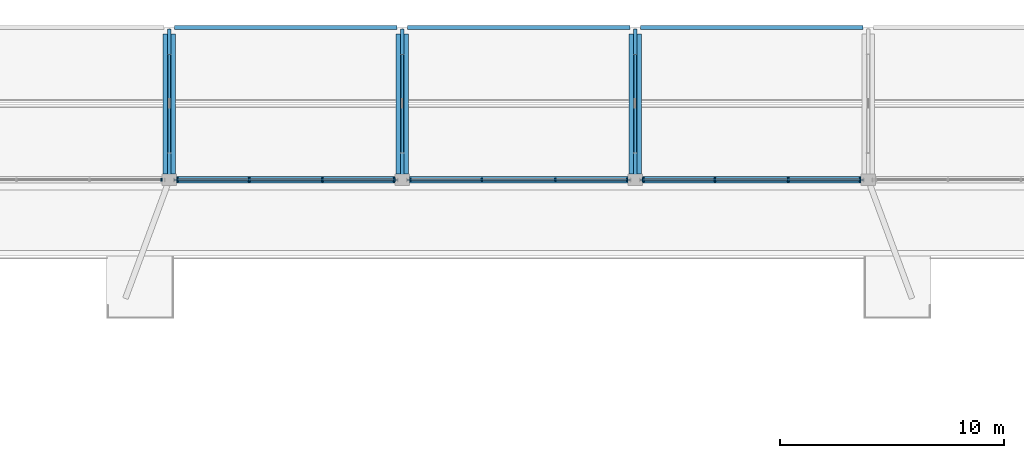
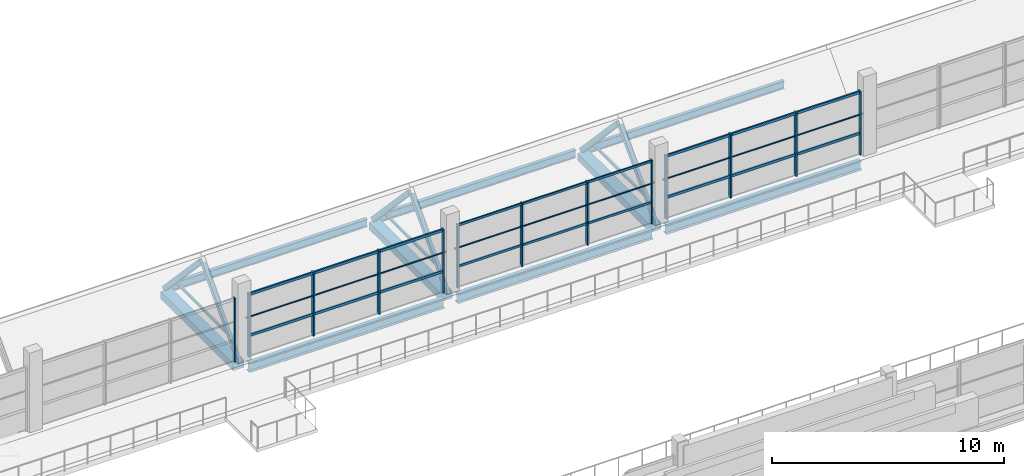
# One storey, part 19 of 85: 31 members, 9 beams, 4 elements without a shape of their own.
"""IFC4 building model written with IfcOpenShell, lengths in metres."""

import ifcopenshell
import ifcopenshell.guid

model = None  # the IFC model being written
_history = None  # IfcOwnerHistory: only IFC2X3 demands one
_inside = {}  # id of a spatial element -> (the spatial element, [elements in it])
_under = {}  # id of a project, library or spatial element -> (it, [spatial elements below it])
_declared = {}  # id of a project -> (the project, [libraries it declares])
_typed = {}  # id of a type object -> (the type object, [elements of that type])
_made_of = {}  # id of a material, layer set ... -> (it, [elements and type objects made of it])


def new_model(schema):
    """Start an empty IFC model of exactly this schema.

    Asked for "IFC4X3", IfcOpenShell would pick the latest addendum, in which some entities
    have other attributes; the version numbers below select the first issue.
    IFC2X3 requires an IfcOwnerHistory on every rooted entity: one is made here for all.
    """
    global model, _history
    if schema == "IFC4X3":
        model = ifcopenshell.file(schema_version=(4, 3, 0, 0))
    else:
        model = ifcopenshell.file(schema=schema)
    _inside.clear()
    _under.clear()
    _declared.clear()
    _typed.clear()
    _made_of.clear()
    _history = None
    if model.schema == "IFC2X3":
        org = make("IfcOrganization", Name="unknown")
        user = make(
            "IfcPersonAndOrganization",
            ThePerson=make("IfcPerson", FamilyName="unknown"),
            TheOrganization=org,
        )
        app = make(
            "IfcApplication",
            ApplicationDeveloper=org,
            Version="unknown",
            ApplicationFullName="unknown",
            ApplicationIdentifier="unknown",
        )
        _history = make(
            "IfcOwnerHistory",
            OwningUser=user,
            OwningApplication=app,
            ChangeAction="ADDED",
            CreationDate=0,
        )
    return model


def make(cls, **values):
    """One entity of the class cls with the attributes given. An attribute that is None is left unset."""
    return model.create_entity(
        cls, **{name: value for name, value in values.items() if value is not None}
    )


def rooted(cls, **values):
    """An entity with a GlobalId (a new one), such as an element, a storey or a relation."""
    return make(cls, GlobalId=ifcopenshell.guid.new(), OwnerHistory=_history, **values)


def si_unit(unit_type, name, prefix=None):
    """IfcSIUnit, for example si_unit("LENGTHUNIT", "METRE", prefix="MILLI")."""
    return make("IfcSIUnit", UnitType=unit_type, Prefix=prefix, Name=name)


def derived_unit(unit_type, elements):
    """IfcDerivedUnit: a product of units, each with its exponent."""
    return make(
        "IfcDerivedUnit",
        Elements=[
            make("IfcDerivedUnitElement", Unit=unit, Exponent=power)
            for unit, power in elements
        ],
        UnitType=unit_type,
    )


def assignment(units):
    """IfcUnitAssignment: the units of a project."""
    return None if units is None else make("IfcUnitAssignment", Units=units)


def point(xyz):
    """IfcCartesianPoint."""
    return None if xyz is None else make("IfcCartesianPoint", Coordinates=xyz)


def direction(xyz):
    """IfcDirection."""
    return None if xyz is None else make("IfcDirection", DirectionRatios=xyz)


def frame(location, z_axis=None, x_axis=None):
    """IfcAxis2Placement3D, a coordinate frame: its origin and axes. An axis left out is left unset."""
    return make(
        "IfcAxis2Placement3D",
        Location=point(location),
        Axis=direction(z_axis),
        RefDirection=direction(x_axis),
    )


def frame_2d(location, x_axis=None):
    """IfcAxis2Placement2D, a coordinate frame in the plane: its origin and x axis."""
    return make(
        "IfcAxis2Placement2D", Location=point(location), RefDirection=direction(x_axis)
    )


def origin():
    """The frame at (0, 0, 0) with its axes left unset."""
    return frame((0.0, 0.0, 0.0))


def origin_2d():
    """The frame at (0, 0) in the plane with its x axis left unset."""
    return frame_2d((0.0, 0.0))


def place(relative_to, where):
    """IfcLocalPlacement: puts the frame where relative to a parent placement (None: the world)."""
    return make(
        "IfcLocalPlacement", PlacementRelTo=relative_to, RelativePlacement=where
    )


def context(
    kind, dimensions, precision=None, world=None, true_north=None, identifier=None
):
    """IfcGeometricRepresentationContext, for example the 3D "Model" context."""
    return make(
        "IfcGeometricRepresentationContext",
        ContextIdentifier=identifier,
        ContextType=kind,
        CoordinateSpaceDimension=dimensions,
        Precision=precision,
        WorldCoordinateSystem=world,
        TrueNorth=true_north,
    )


def subcontext(parent, identifier, kind, view, scale=None):
    """IfcGeometricRepresentationSubContext, for example "Body" below "Model"."""
    return make(
        "IfcGeometricRepresentationSubContext",
        ContextIdentifier=identifier,
        ContextType=kind,
        ParentContext=parent,
        TargetScale=scale,
        TargetView=view,
    )


def project(units=None, contexts=None):
    """IfcProject with its units and contexts."""
    return rooted(
        "IfcProject",
        Name="project",
        RepresentationContexts=contexts,
        UnitsInContext=assignment(units),
    )


def spatial(cls, under=None, at=None, **own):
    """A site, building, storey or space (cls), placed at a placement, below another one or the project."""
    s = rooted(cls, ObjectPlacement=at, **own)
    if under is not None:
        _under.setdefault(under.id(), (under, []))[1].append(s)
    return s


def profile(cls, at=None, kind="AREA", **sizes):
    """A parametric profile (cls). Its sizes go by their IFC names, for example OverallWidth=200.0."""
    return make(cls, ProfileType=kind, Position=at, **sizes)


def rectangle(**sizes):
    """IfcRectangleProfileDef."""
    return profile("IfcRectangleProfileDef", **sizes)


def hollow_rectangle(**sizes):
    """IfcRectangleHollowProfileDef."""
    return profile("IfcRectangleHollowProfileDef", **sizes)


def hollow_circle(**sizes):
    """IfcCircleHollowProfileDef."""
    return profile("IfcCircleHollowProfileDef", **sizes)


def i_section(**sizes):
    """IfcIShapeProfileDef."""
    return profile("IfcIShapeProfileDef", **sizes)


def extrude(swept, where, along, depth):
    """IfcExtrudedAreaSolid: the profile swept, set in the frame where, extruded along a direction by depth."""
    return make(
        "IfcExtrudedAreaSolid",
        SweptArea=swept,
        Position=where,
        ExtrudedDirection=direction(along),
        Depth=depth,
    )


def shape(context_of_items, identifier, shape_type, items):
    """IfcShapeRepresentation: the items that make up one representation, for example the "Body"."""
    return make(
        "IfcShapeRepresentation",
        ContextOfItems=context_of_items,
        RepresentationIdentifier=identifier,
        RepresentationType=shape_type,
        Items=items,
    )


def material(Name=None, Category=None):
    """IfcMaterial."""
    return make("IfcMaterial", Name=Name, Category=Category)


def material_profile(
    of_material, cross_section, Name=None, Category=None, Priority=None
):
    """IfcMaterialProfile: a cross section and its material."""
    return make(
        "IfcMaterialProfile",
        Name=Name,
        Material=of_material,
        Profile=cross_section,
        Priority=Priority,
        Category=Category,
    )


def profile_set(profiles, Name=None, composite=None):
    """IfcMaterialProfileSet."""
    return make(
        "IfcMaterialProfileSet",
        Name=Name,
        MaterialProfiles=profiles,
        CompositeProfile=composite,
    )


def made_of(thing, what):
    """Note that an element or type object is made of a material, layer set ...; save() writes the relation."""
    if what is not None:
        _made_of.setdefault(what.id(), (what, []))[1].append(thing)
    return thing


def type_object(cls, material=None, **own):
    """A type object (cls), such as IfcWallType, which elements share."""
    return made_of(rooted(cls, **own), material)


def element(
    cls,
    number,
    at=None,
    inside=None,
    cuts=None,
    type_object=None,
    material=None,
    context=None,
    identifier="Body",
    shape_type=None,
    held_by="IfcProductDefinitionShape",
    body=None,
    shapes=None,
    **own,
):
    """One element of the class cls, such as IfcWall. Its Tag is "e" and its number.

    at: its placement. inside: the storey or other place that contains it. cuts: it is an
    opening in that element (IfcRelVoidsElement). A single representation is given by context,
    identifier, shape_type and body (its items); several are given by shapes. held_by: the class
    of the entity that holds the representations. save() writes the other relations.
    """
    e = rooted(cls, Tag="e%d" % number, ObjectPlacement=at, **own)
    if body is not None:
        shapes = [shape(context, identifier, shape_type, body)]
    if shapes is not None:
        e.Representation = make(held_by, Representations=shapes)
    if inside is not None:
        _inside.setdefault(inside.id(), (inside, []))[1].append(e)
    if cuts is not None:
        rooted(
            "IfcRelVoidsElement", RelatingBuildingElement=cuts, RelatedOpeningElement=e
        )
    if type_object is not None:
        _typed.setdefault(type_object.id(), (type_object, []))[1].append(e)
    return made_of(e, material)


def aggregate(whole, parts):
    """IfcRelAggregates: a whole, such as a stair, and the parts it consists of."""
    return rooted("IfcRelAggregates", RelatingObject=whole, RelatedObjects=parts)


def save(model, path):
    """Write the relations noted so far, then the file.

    IfcRelAggregates (storeys below a building ...), IfcRelContainedInSpatialStructure (elements
    in a storey), IfcRelDefinesByType, IfcRelAssociatesMaterial and IfcRelDeclares: one each for
    every whole, place, type object, material and project.
    """
    for whole, parts in _under.values():
        aggregate(whole, parts)
    for where, things in _inside.values():
        rooted(
            "IfcRelContainedInSpatialStructure",
            RelatedElements=things,
            RelatingStructure=where,
        )
    for kind, things in _typed.values():
        rooted("IfcRelDefinesByType", RelatedObjects=things, RelatingType=kind)
    for what, things in _made_of.values():
        rooted("IfcRelAssociatesMaterial", RelatedObjects=things, RelatingMaterial=what)
    for by, libraries in _declared.values():
        rooted("IfcRelDeclares", RelatingContext=by, RelatedDefinitions=libraries)
    model.write(path)


model = new_model("IFC4")

# Units and contexts
model_context = context("Model", 3, precision=1e-05, world=origin(), true_north=direction((0.0, 1.0)))
body_context = subcontext(model_context, "Body", "Model", "MODEL_VIEW")
ifc_project = project(units=[si_unit("LENGTHUNIT", "METRE"), si_unit("AREAUNIT", "SQUARE_METRE"), si_unit("VOLUMEUNIT", "CUBIC_METRE"), si_unit("PLANEANGLEUNIT", "RADIAN"), si_unit("MASSUNIT", "GRAM", prefix="KILO"), derived_unit("THERMALTRANSMITTANCEUNIT", [(si_unit("POWERUNIT", "WATT"), 1), (si_unit("LENGTHUNIT", "METRE"), -2), (si_unit("THERMODYNAMICTEMPERATUREUNIT", "KELVIN"), -1)])], contexts=[model_context])

# Site, building, storey
site_placement = place(None, origin())
site = spatial("IfcSite", under=ifc_project, at=site_placement, CompositionType="ELEMENT")
building_placement = place(site_placement, origin())
building = spatial("IfcBuilding", under=site, at=building_placement, Name="Braskholm Square Health Centre", CompositionType="ELEMENT")
storey_placement = place(building_placement, frame((0.0, 0.0, 9.300048828125)))
storey = spatial("IfcBuildingStorey", under=building, at=storey_placement, Name="L03", CompositionType="ELEMENT", Elevation=9.300048828125)

# Members
ifc_material_1 = material(Name="Steel ASTM A500 Grade C", Category="steel")
ifc_material_profile_1 = material_profile(ifc_material_1, hollow_circle(Radius=0.04443359375, WallThickness=0.005126953125, at=origin_2d()), Name="HSS3.500X0.216")
ifc_profile_set_1 = profile_set([ifc_material_profile_1], Name="Steel ASTM A500 Grade C")
member_type_1 = type_object("IfcMemberType", Name="ClerestoryGirtStrutCHS89", PredefinedType="STRUT", material=ifc_profile_set_1)
for number, where, z_axis, x_axis, name in (
    (1, (68.610107421875, 107.0, 2.099853515625), (1.0, 0.0, 0.0), (0.0, 1.0, 0.0), "Waiting Hall high clerestory girt Bay 3"),
    (2, (79.010009765625, 107.0, 2.099853515625), (1.0, 0.0, 0.0), (0.0, 1.0, 0.0), "Waiting Hall high clerestory girt Bay 4"),
    (3, (89.409912109375, 107.0, 2.099853515625), (1.0, 0.0, 0.0), (0.0, 1.0, 0.0), "Waiting Hall high clerestory girt Bay 5"),
):
    element("IfcMember", number, at=place(storey_placement, frame(where, z_axis=z_axis, x_axis=x_axis)), inside=storey, type_object=member_type_1, Name=name, PredefinedType="STRUT", context=body_context, shape_type="SweptSolid", body=[
        extrude(hollow_circle(Radius=0.04443359375, WallThickness=0.005126953125, at=origin_2d()), origin(), (0.0, 0.0, 1.0), 9.97998046875),
    ])
ifc_material_profile_2 = material_profile(ifc_material_1, hollow_rectangle(XDim=0.15234375, YDim=0.25390625, WallThickness=0.0087890625, at=origin_2d()), Name="HSS10X6X3/8")
ifc_profile_set_2 = profile_set([ifc_material_profile_2], Name="Steel ASTM A500 Grade C")
member_type_2 = type_object("IfcMemberType", Name="ConservatoryChordHSS10X6", PredefinedType="CHORD", material=ifc_profile_set_2)
member_1_placement = place(storey_placement, frame((68.39990234375, 107.14990234375, -0.320068359375), z_axis=(0.0, 0.685168810037, 0.728384309107), x_axis=(-1.0, 0.0, 0.0)))
element("IfcMember", 4, at=member_1_placement, inside=storey, type_object=member_type_2, Name="ROOF TRUSS Conservatory south rafter 02", PredefinedType="CHORD", context=body_context, shape_type="SweptSolid", body=[
    extrude(hollow_rectangle(XDim=0.15234375, YDim=0.25390625, WallThickness=0.0087890625, at=origin_2d()), origin(), (0.0, 0.0, 1.0), 4.626953125),
])
member_2_placement = place(storey_placement, frame((68.39990234375, 113.64990234375, -0.320068359375), z_axis=(0.0, -0.685140813756, 0.728410643337), x_axis=(1.0, 0.0, 0.0)))
element("IfcMember", 5, at=member_2_placement, inside=storey, type_object=member_type_2, Name="ROOF TRUSS Conservatory north rafter 02", PredefinedType="CHORD", context=body_context, shape_type="SweptSolid", body=[
    extrude(hollow_rectangle(XDim=0.15234375, YDim=0.25390625, WallThickness=0.0087890625, at=origin_2d()), origin(), (0.0, 0.0, 1.0), 4.626708984375),
])
member_3_placement = place(storey_placement, frame((78.800048828125, 107.14990234375, -0.320068359375), z_axis=(0.0, 0.685168810037, 0.728384309107), x_axis=(-1.0, 0.0, 0.0)))
element("IfcMember", 6, at=member_3_placement, inside=storey, type_object=member_type_2, Name="ROOF TRUSS Conservatory south rafter 03", PredefinedType="CHORD", context=body_context, shape_type="SweptSolid", body=[
    extrude(hollow_rectangle(XDim=0.15234375, YDim=0.25390625, WallThickness=0.0087890625, at=origin_2d()), origin(), (0.0, 0.0, 1.0), 4.626953125),
])
member_4_placement = place(storey_placement, frame((78.800048828125, 113.64990234375, -0.320068359375), z_axis=(0.0, -0.685140813756, 0.728410643337), x_axis=(1.0, 0.0, 0.0)))
element("IfcMember", 7, at=member_4_placement, inside=storey, type_object=member_type_2, Name="ROOF TRUSS Conservatory north rafter 03", PredefinedType="CHORD", context=body_context, shape_type="SweptSolid", body=[
    extrude(hollow_rectangle(XDim=0.15234375, YDim=0.25390625, WallThickness=0.0087890625, at=origin_2d()), origin(), (0.0, 0.0, 1.0), 4.626708984375),
])
member_5_placement = place(storey_placement, frame((89.199951171875, 107.14990234375, -0.320068359375), z_axis=(0.0, 0.685168810037, 0.728384309107), x_axis=(-1.0, 0.0, 0.0)))
element("IfcMember", 8, at=member_5_placement, inside=storey, type_object=member_type_2, Name="ROOF TRUSS Conservatory south rafter 04", PredefinedType="CHORD", context=body_context, shape_type="SweptSolid", body=[
    extrude(hollow_rectangle(XDim=0.15234375, YDim=0.25390625, WallThickness=0.0087890625, at=origin_2d()), origin(), (0.0, 0.0, 1.0), 4.626953125),
])
member_6_placement = place(storey_placement, frame((89.199951171875, 113.64990234375, -0.320068359375), z_axis=(0.0, -0.685140813756, 0.728410643337), x_axis=(1.0, 0.0, 0.0)))
element("IfcMember", 9, at=member_6_placement, inside=storey, type_object=member_type_2, Name="ROOF TRUSS Conservatory north rafter 04", PredefinedType="CHORD", context=body_context, shape_type="SweptSolid", body=[
    extrude(hollow_rectangle(XDim=0.15234375, YDim=0.25390625, WallThickness=0.0087890625, at=origin_2d()), origin(), (0.0, 0.0, 1.0), 4.626708984375),
])
ifc_material_profile_3 = material_profile(ifc_material_1, hollow_rectangle(XDim=0.1015625, YDim=0.1015625, WallThickness=0.005859375, at=origin_2d()), Name="HSS4X4X1/4")
ifc_profile_set_3 = profile_set([ifc_material_profile_3], Name="Steel ASTM A500 Grade C")
member_type_3 = type_object("IfcMemberType", Name="ConservatoryRafterStrutHSS4X4", PredefinedType="STRUT", material=ifc_profile_set_3)
for number, where, z_axis, x_axis, name in (
    (10, (68.39990234375, 108.199951171875, 0.619873046875), (0.0, 1.0, 0.0), (-1.0, 0.0, 0.0), "ROOF TRUSS Conservatory collar strut 02"),
    (11, (78.800048828125, 108.199951171875, 0.619873046875), (0.0, 1.0, 0.0), (-1.0, 0.0, 0.0), "ROOF TRUSS Conservatory collar strut 03"),
    (12, (89.199951171875, 108.199951171875, 0.619873046875), (0.0, 1.0, 0.0), (-1.0, 0.0, 0.0), "ROOF TRUSS Conservatory collar strut 04"),
):
    element("IfcMember", number, at=place(storey_placement, frame(where, z_axis=z_axis, x_axis=x_axis)), inside=storey, type_object=member_type_3, Name=name, PredefinedType="STRUT", context=body_context, shape_type="SweptSolid", body=[
        extrude(hollow_rectangle(XDim=0.1015625, YDim=0.1015625, WallThickness=0.005859375, at=origin_2d()), origin(), (0.0, 0.0, 1.0), 4.400146484375),
    ])

# Curtain wall, member
ifc_material_2 = material(Name="Low-E triple insulating glass (VLT 0.64)", Category="glass")
curtain_wall_type = type_object("IfcCurtainWallType", Name="UnitisedCurtainWall6200x3650", PredefinedType="NOTDEFINED", material=ifc_material_2)
curtain_wall_1_placement = place(storey_placement, origin())
curtain_wall_1 = element("IfcCurtainWall", 13, at=curtain_wall_1_placement, inside=storey, type_object=curtain_wall_type, Name="Hall North Clerestory unitised curtain wall CW-L03-0230", PredefinedType="NOTDEFINED")
ifc_material_3 = material(Name="Architectural bronze anodised aluminium", Category="aluminium")
ifc_material_profile_4 = material_profile(ifc_material_3, rectangle(XDim=0.06494140625, YDim=0.14990234375, at=origin_2d()), Name="ALU-65X150")
ifc_profile_set_4 = profile_set([ifc_material_profile_4], Name="Architectural bronze anodised aluminium")
member_type_4 = type_object("IfcMemberType", Name="CurtainWallMullion65x150", PredefinedType="MULLION", material=ifc_profile_set_4)
member_7_placement = place(storey_placement, frame((68.041259765625, 107.0, 0.0), z_axis=(0.0, 0.0, 1.0), x_axis=(1.0, 0.0, 0.0)))
member_7 = element("IfcMember", 14, at=member_7_placement, type_object=member_type_4, Name="CW-L03-0230 vertical mullion 1", PredefinedType="MULLION", context=body_context, shape_type="SweptSolid", body=[
    extrude(rectangle(XDim=0.06494140625, YDim=0.14990234375, at=origin_2d()), origin(), (0.0, 0.0, 1.0), 3.35595703125),
])
aggregate(curtain_wall_1, [member_7])

# Curtain wall, members
curtain_wall_2_placement = place(storey_placement, origin())
curtain_wall_2 = element("IfcCurtainWall", 15, at=curtain_wall_2_placement, inside=storey, type_object=curtain_wall_type, Name="Hall North Clerestory unitised curtain wall CW-L03-0232", PredefinedType="NOTDEFINED")
member_8_placement = place(storey_placement, frame((88.84130859375, 107.0, 0.0), z_axis=(0.0, 0.0, 1.0), x_axis=(1.0, 0.0, 0.0)))
member_8 = element("IfcMember", 16, at=member_8_placement, type_object=member_type_4, Name="CW-L03-0232 vertical mullion 1", PredefinedType="MULLION", context=body_context, shape_type="SweptSolid", body=[
    extrude(rectangle(XDim=0.06494140625, YDim=0.14990234375, at=origin_2d()), origin(), (0.0, 0.0, 1.0), 3.35595703125),
])
member_9_placement = place(storey_placement, frame((85.63330078125, 107.0, 0.0), z_axis=(0.0, 0.0, 1.0), x_axis=(1.0, 0.0, 0.0)))
member_9 = element("IfcMember", 17, at=member_9_placement, type_object=member_type_4, Name="CW-L03-0232 vertical mullion 2", PredefinedType="MULLION", context=body_context, shape_type="SweptSolid", body=[
    extrude(rectangle(XDim=0.06494140625, YDim=0.14990234375, at=origin_2d()), origin(), (0.0, 0.0, 1.0), 3.35595703125),
])
member_10_placement = place(storey_placement, frame((82.36669921875, 107.0, 0.0), z_axis=(0.0, 0.0, 1.0), x_axis=(1.0, 0.0, 0.0)))
member_10 = element("IfcMember", 18, at=member_10_placement, type_object=member_type_4, Name="CW-L03-0232 vertical mullion 3", PredefinedType="MULLION", context=body_context, shape_type="SweptSolid", body=[
    extrude(rectangle(XDim=0.06494140625, YDim=0.14990234375, at=origin_2d()), origin(), (0.0, 0.0, 1.0), 3.35595703125),
])
member_11_placement = place(storey_placement, frame((79.15869140625, 107.0, 0.0), z_axis=(0.0, 0.0, 1.0), x_axis=(1.0, 0.0, 0.0)))
member_11 = element("IfcMember", 19, at=member_11_placement, type_object=member_type_4, Name="CW-L03-0232 vertical mullion 4", PredefinedType="MULLION", context=body_context, shape_type="SweptSolid", body=[
    extrude(rectangle(XDim=0.06494140625, YDim=0.14990234375, at=origin_2d()), origin(), (0.0, 0.0, 1.0), 3.35595703125),
])

curtain_wall_3_placement = place(storey_placement, origin())
curtain_wall_3 = element("IfcCurtainWall", 20, at=curtain_wall_3_placement, inside=storey, type_object=curtain_wall_type, Name="Hall North Clerestory unitised curtain wall CW-L03-0231", PredefinedType="NOTDEFINED")
ifc_material_profile_5 = material_profile(ifc_material_3, rectangle(XDim=0.074951171875, YDim=0.179931640625, at=origin_2d()), Name="ALU-75X180")
ifc_profile_set_5 = profile_set([ifc_material_profile_5], Name="Architectural bronze anodised aluminium")
member_type_5 = type_object("IfcMemberType", Name="CurtainWallMullion75x180", PredefinedType="MULLION", material=ifc_profile_set_5)
member_12_placement = place(storey_placement, frame((78.441162109375, 107.0, 0.0), z_axis=(0.0, 0.0, 1.0), x_axis=(1.0, 0.0, 0.0)))
member_12 = element("IfcMember", 21, at=member_12_placement, type_object=member_type_5, Name="CW-L03-0231 vertical mullion 1", PredefinedType="MULLION", context=body_context, shape_type="SweptSolid", body=[
    extrude(rectangle(XDim=0.074951171875, YDim=0.179931640625, at=origin_2d()), origin(), (0.0, 0.0, 1.0), 3.35595703125),
])
member_13_placement = place(storey_placement, frame((75.2333984375, 107.0, 0.0), z_axis=(0.0, 0.0, 1.0), x_axis=(1.0, 0.0, 0.0)))
member_13 = element("IfcMember", 22, at=member_13_placement, type_object=member_type_5, Name="CW-L03-0231 vertical mullion 2", PredefinedType="MULLION", context=body_context, shape_type="SweptSolid", body=[
    extrude(rectangle(XDim=0.074951171875, YDim=0.179931640625, at=origin_2d()), origin(), (0.0, 0.0, 1.0), 3.35595703125),
])
member_14_placement = place(storey_placement, frame((71.966796875, 107.0, 0.0), z_axis=(0.0, 0.0, 1.0), x_axis=(1.0, 0.0, 0.0)))
member_14 = element("IfcMember", 23, at=member_14_placement, type_object=member_type_5, Name="CW-L03-0231 vertical mullion 3", PredefinedType="MULLION", context=body_context, shape_type="SweptSolid", body=[
    extrude(rectangle(XDim=0.074951171875, YDim=0.179931640625, at=origin_2d()), origin(), (0.0, 0.0, 1.0), 3.35595703125),
])
member_15_placement = place(storey_placement, frame((68.7587890625, 107.0, 0.0), z_axis=(0.0, 0.0, 1.0), x_axis=(1.0, 0.0, 0.0)))
member_15 = element("IfcMember", 24, at=member_15_placement, type_object=member_type_5, Name="CW-L03-0231 vertical mullion 4", PredefinedType="MULLION", context=body_context, shape_type="SweptSolid", body=[
    extrude(rectangle(XDim=0.074951171875, YDim=0.179931640625, at=origin_2d()), origin(), (0.0, 0.0, 1.0), 3.35595703125),
])

curtain_wall_4_placement = place(storey_placement, origin())
curtain_wall_4 = element("IfcCurtainWall", 25, at=curtain_wall_4_placement, inside=storey, type_object=curtain_wall_type, Name="Hall North Clerestory unitised curtain wall CW-L03-0233", PredefinedType="NOTDEFINED")
member_16_placement = place(storey_placement, frame((99.2412109375, 107.0, 0.0), z_axis=(0.0, 0.0, 1.0), x_axis=(1.0, 0.0, 0.0)))
member_16 = element("IfcMember", 26, at=member_16_placement, type_object=member_type_5, Name="CW-L03-0233 vertical mullion 1", PredefinedType="MULLION", context=body_context, shape_type="SweptSolid", body=[
    extrude(rectangle(XDim=0.074951171875, YDim=0.179931640625, at=origin_2d()), origin(), (0.0, 0.0, 1.0), 3.35595703125),
])
member_17_placement = place(storey_placement, frame((96.033203125, 107.0, 0.0), z_axis=(0.0, 0.0, 1.0), x_axis=(1.0, 0.0, 0.0)))
member_17 = element("IfcMember", 27, at=member_17_placement, type_object=member_type_5, Name="CW-L03-0233 vertical mullion 2", PredefinedType="MULLION", context=body_context, shape_type="SweptSolid", body=[
    extrude(rectangle(XDim=0.074951171875, YDim=0.179931640625, at=origin_2d()), origin(), (0.0, 0.0, 1.0), 3.35595703125),
])
member_18_placement = place(storey_placement, frame((92.7666015625, 107.0, 0.0), z_axis=(0.0, 0.0, 1.0), x_axis=(1.0, 0.0, 0.0)))
member_18 = element("IfcMember", 28, at=member_18_placement, type_object=member_type_5, Name="CW-L03-0233 vertical mullion 3", PredefinedType="MULLION", context=body_context, shape_type="SweptSolid", body=[
    extrude(rectangle(XDim=0.074951171875, YDim=0.179931640625, at=origin_2d()), origin(), (0.0, 0.0, 1.0), 3.35595703125),
])
member_19_placement = place(storey_placement, frame((89.558837890625, 107.0, 0.0), z_axis=(0.0, 0.0, 1.0), x_axis=(1.0, 0.0, 0.0)))
member_19 = element("IfcMember", 29, at=member_19_placement, type_object=member_type_5, Name="CW-L03-0233 vertical mullion 4", PredefinedType="MULLION", context=body_context, shape_type="SweptSolid", body=[
    extrude(rectangle(XDim=0.074951171875, YDim=0.179931640625, at=origin_2d()), origin(), (0.0, 0.0, 1.0), 3.35595703125),
])

# Member
ifc_material_profile_6 = material_profile(ifc_material_3, rectangle(XDim=0.06494140625, YDim=0.1201171875, at=origin_2d()), Name="ALU-65X120")
ifc_profile_set_6 = profile_set([ifc_material_profile_6], Name="Architectural bronze anodised aluminium")
member_type_6 = type_object("IfcMemberType", Name="CurtainWallTransom65x120", PredefinedType="USERDEFINED", material=ifc_profile_set_6)
member_20_placement = place(storey_placement, frame((88.85498046875, 107.0, 1.119873046875), z_axis=(-1.0, 0.0, 0.0), x_axis=(0.0, -1.0, 0.0)))
member_20 = element("IfcMember", 30, at=member_20_placement, type_object=member_type_6, Name="CW-L03-0232 horizontal transom 1", ObjectType="TRANSOM", PredefinedType="USERDEFINED", context=body_context, shape_type="SweptSolid", body=[
    extrude(rectangle(XDim=0.06494140625, YDim=0.1201171875, at=origin_2d()), origin(), (0.0, 0.0, 1.0), 9.7099609375),
])

member_21_placement = place(storey_placement, frame((88.85498046875, 107.0, 3.285888671875), z_axis=(-1.0, 0.0, 0.0), x_axis=(0.0, -1.0, 0.0)))
member_21 = element("IfcMember", 31, at=member_21_placement, type_object=member_type_6, Name="CW-L03-0232 horizontal transom 2", ObjectType="TRANSOM", PredefinedType="USERDEFINED", context=body_context, shape_type="SweptSolid", body=[
    extrude(rectangle(XDim=0.06494140625, YDim=0.1201171875, at=origin_2d()), origin(), (0.0, 0.0, 1.0), 9.7099609375),
])

aggregate(curtain_wall_2, [member_8, member_9, member_10, member_11, member_20, member_21])

ifc_material_profile_7 = material_profile(ifc_material_3, rectangle(XDim=0.074951171875, YDim=0.139892578125, at=origin_2d()), Name="ALU-75X140")
ifc_profile_set_7 = profile_set([ifc_material_profile_7], Name="Architectural bronze anodised aluminium")
member_type_7 = type_object("IfcMemberType", Name="CurtainWallTransom75x140", PredefinedType="USERDEFINED", material=ifc_profile_set_7)
member_22_placement = place(storey_placement, frame((78.455078125, 107.0, 1.119873046875), z_axis=(-1.0, 0.0, 0.0), x_axis=(0.0, -1.0, 0.0)))
member_22 = element("IfcMember", 32, at=member_22_placement, type_object=member_type_7, Name="CW-L03-0231 horizontal transom 1", ObjectType="TRANSOM", PredefinedType="USERDEFINED", context=body_context, shape_type="SweptSolid", body=[
    extrude(rectangle(XDim=0.074951171875, YDim=0.139892578125, at=origin_2d()), origin(), (0.0, 0.0, 1.0), 9.7099609375),
])

member_23_placement = place(storey_placement, frame((78.455078125, 107.0, 3.285888671875), z_axis=(-1.0, 0.0, 0.0), x_axis=(0.0, -1.0, 0.0)))
member_23 = element("IfcMember", 33, at=member_23_placement, type_object=member_type_7, Name="CW-L03-0231 horizontal transom 2", ObjectType="TRANSOM", PredefinedType="USERDEFINED", context=body_context, shape_type="SweptSolid", body=[
    extrude(rectangle(XDim=0.074951171875, YDim=0.139892578125, at=origin_2d()), origin(), (0.0, 0.0, 1.0), 9.7099609375),
])

aggregate(curtain_wall_3, [member_12, member_13, member_14, member_15, member_22, member_23])

member_24_placement = place(storey_placement, frame((99.2548828125, 107.0, 1.119873046875), z_axis=(-1.0, 0.0, 0.0), x_axis=(0.0, -1.0, 0.0)))
member_24 = element("IfcMember", 34, at=member_24_placement, type_object=member_type_7, Name="CW-L03-0233 horizontal transom 1", ObjectType="TRANSOM", PredefinedType="USERDEFINED", context=body_context, shape_type="SweptSolid", body=[
    extrude(rectangle(XDim=0.074951171875, YDim=0.139892578125, at=origin_2d()), origin(), (0.0, 0.0, 1.0), 9.7099609375),
])

member_25_placement = place(storey_placement, frame((99.2548828125, 107.0, 3.285888671875), z_axis=(-1.0, 0.0, 0.0), x_axis=(0.0, -1.0, 0.0)))
member_25 = element("IfcMember", 35, at=member_25_placement, type_object=member_type_7, Name="CW-L03-0233 horizontal transom 2", ObjectType="TRANSOM", PredefinedType="USERDEFINED", context=body_context, shape_type="SweptSolid", body=[
    extrude(rectangle(XDim=0.074951171875, YDim=0.139892578125, at=origin_2d()), origin(), (0.0, 0.0, 1.0), 9.7099609375),
])

aggregate(curtain_wall_4, [member_16, member_17, member_18, member_19, member_24, member_25])

# Beams
ifc_material_4 = material(Name="Concrete C35/45 (f'c = 35 MPa)", Category="concrete")
ifc_material_profile_8 = material_profile(ifc_material_4, rectangle(XDim=0.550048828125, YDim=0.3798828125, at=origin_2d()), Name="RCB-550X380")
ifc_profile_set_8 = profile_set([ifc_material_profile_8], Name="Concrete C35/45 (f'c = 35 MPa)")
beam_type_1 = type_object("IfcBeamType", Name="PrimaryBandBeam550x380", PredefinedType="BEAM", material=ifc_profile_set_8)
for number, where, z_axis, x_axis, name in (
    (36, (68.39990234375, 107.25, -0.489990234375), (0.0, 1.0, 0.0), (-1.0, 0.0, 0.0), "Beam 10/R-S L03"),
    (37, (78.800048828125, 107.25, -0.489990234375), (0.0, 1.0, 0.0), (-1.0, 0.0, 0.0), "Beam 11/R-S L03"),
    (38, (89.199951171875, 107.25, -0.489990234375), (0.0, 1.0, 0.0), (-1.0, 0.0, 0.0), "Beam 12/R-S L03"),
):
    element("IfcBeam", number, at=place(storey_placement, frame(where, z_axis=z_axis, x_axis=x_axis)), inside=storey, type_object=beam_type_1, Name=name, PredefinedType="BEAM", context=body_context, shape_type="SweptSolid", body=[
        extrude(rectangle(XDim=0.550048828125, YDim=0.3798828125, at=origin_2d()), origin(), (0.0, 0.0, 1.0), 6.27001953125),
    ])
ifc_material_5 = material(Name="Steel ASTM A992 Grade 50", Category="steel")
ifc_material_profile_9 = material_profile(ifc_material_5, i_section(OverallWidth=0.179931640625, OverallDepth=0.4130859375, WebThickness=0.009765625, FlangeThickness=0.01611328125, at=origin_2d()), Name="W16X50")
ifc_profile_set_9 = profile_set([ifc_material_profile_9], Name="Steel ASTM A992 Grade 50")
beam_type_2 = type_object("IfcBeamType", Name="SteelBeamConservatoryW16X50", PredefinedType="BEAM", material=ifc_profile_set_9)
beam_1_placement = place(storey_placement, frame((68.6298828125, 113.800048828125, -0.45654296875), z_axis=(1.0, 0.0, 0.0), x_axis=(0.0, 1.0, 0.0)))
element("IfcBeam", 39, at=beam_1_placement, inside=storey, type_object=beam_type_2, Name="Beam 10-11/S L03", PredefinedType="BEAM", context=body_context, shape_type="SweptSolid", body=[
    extrude(i_section(OverallWidth=0.179931640625, OverallDepth=0.4130859375, WebThickness=0.009765625, FlangeThickness=0.01611328125, at=origin_2d()), origin(), (0.0, 0.0, 1.0), 9.940185546875),
])
beam_2_placement = place(storey_placement, frame((79.030029296875, 113.800048828125, -0.45654296875), z_axis=(1.0, 0.0, 0.0), x_axis=(0.0, 1.0, 0.0)))
element("IfcBeam", 40, at=beam_2_placement, inside=storey, type_object=beam_type_2, Name="Beam 11-12/S L03", PredefinedType="BEAM", context=body_context, shape_type="SweptSolid", body=[
    extrude(i_section(OverallWidth=0.179931640625, OverallDepth=0.4130859375, WebThickness=0.009765625, FlangeThickness=0.01611328125, at=origin_2d()), origin(), (0.0, 0.0, 1.0), 9.93994140625),
])
beam_3_placement = place(storey_placement, frame((89.429931640625, 113.800048828125, -0.45654296875), z_axis=(1.0, 0.0, 0.0), x_axis=(0.0, 1.0, 0.0)))
element("IfcBeam", 41, at=beam_3_placement, inside=storey, type_object=beam_type_2, Name="Beam 12-13/S L03", PredefinedType="BEAM", context=body_context, shape_type="SweptSolid", body=[
    extrude(i_section(OverallWidth=0.179931640625, OverallDepth=0.4130859375, WebThickness=0.009765625, FlangeThickness=0.01611328125, at=origin_2d()), origin(), (0.0, 0.0, 1.0), 9.940185546875),
])
ifc_material_profile_10 = material_profile(ifc_material_5, i_section(OverallWidth=0.280029296875, OverallDepth=0.462890625, WebThickness=0.0107421875, FlangeThickness=0.017333984375, at=origin_2d()), Name="W18X76")
ifc_profile_set_10 = profile_set([ifc_material_profile_10], Name="Steel ASTM A992 Grade 50")
beam_type_3 = type_object("IfcBeamType", Name="SteelGirderGalleryW18X76", PredefinedType="BEAM", material=ifc_profile_set_10)
for number, where, z_axis, x_axis, name in (
    (42, (68.72509765625, 107.0, -0.531494140625), (1.0, 0.0, 0.0), (0.0, 1.0, 0.0), "Beam 10-11/R L03"),
    (43, (79.125, 107.0, -0.531494140625), (1.0, 0.0, 0.0), (0.0, 1.0, 0.0), "Beam 11-12/R L03"),
    (44, (89.52490234375, 107.0, -0.531494140625), (1.0, 0.0, 0.0), (0.0, 1.0, 0.0), "Beam 12-13/R L03"),
):
    element("IfcBeam", number, at=place(storey_placement, frame(where, z_axis=z_axis, x_axis=x_axis)), inside=storey, type_object=beam_type_3, Name=name, PredefinedType="BEAM", context=body_context, shape_type="SweptSolid", body=[
        extrude(i_section(OverallWidth=0.280029296875, OverallDepth=0.462890625, WebThickness=0.0107421875, FlangeThickness=0.017333984375, at=origin_2d()), origin(), (0.0, 0.0, 1.0), 9.75),
    ])

save(model, "model.ifc")
